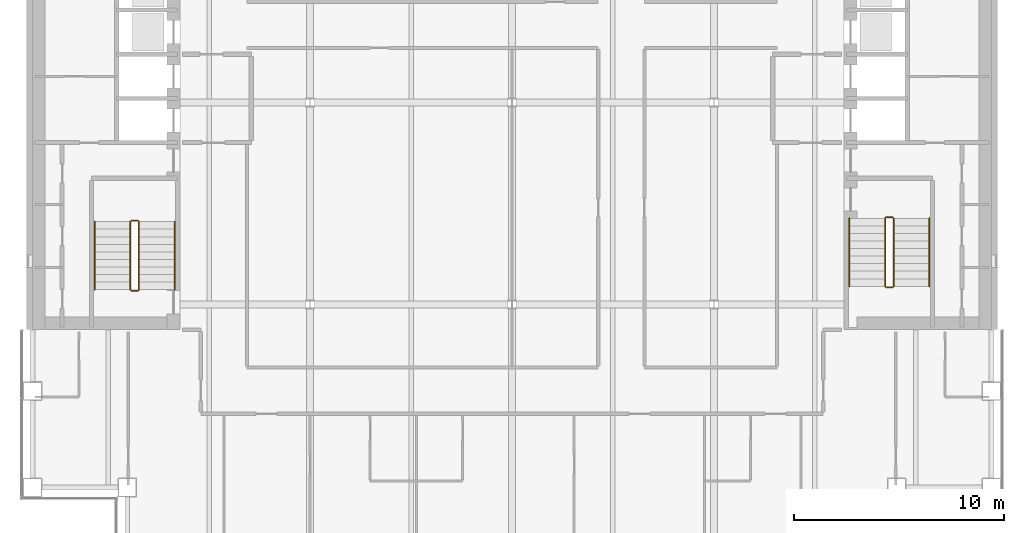
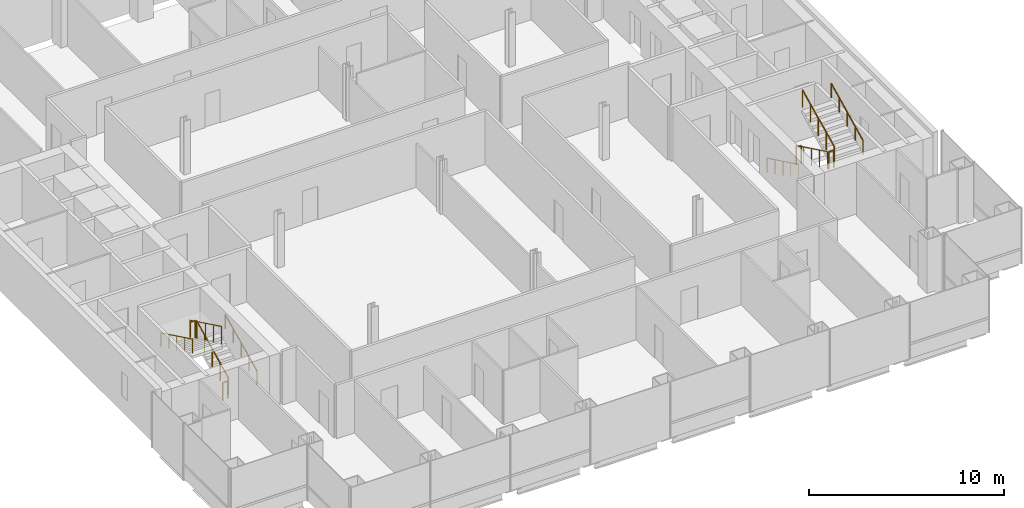
# One storey, part 15 of 16: 12 railings.
"""IFC4 building model written with IfcOpenShell, lengths in metres."""

from ifc_helpers import new_model, si_unit, direction, frame, origin, origin_2d, place, context, subcontext, project, spatial, circle, extrude, material, type_object, element, save


model = new_model("IFC4")

# Units and contexts
model_context = context("Model", 3, precision=1e-05, world=origin(), true_north=direction((0.0, 1.0)))
body_context = subcontext(model_context, "Body", "Model", "MODEL_VIEW")
ifc_project = project(units=[si_unit("LENGTHUNIT", "METRE"), si_unit("AREAUNIT", "SQUARE_METRE"), si_unit("VOLUMEUNIT", "CUBIC_METRE"), si_unit("PLANEANGLEUNIT", "RADIAN"), si_unit("MASSUNIT", "GRAM", prefix="KILO")], contexts=[model_context])

# Site, building, storey
site_placement = place(None, origin())
site = spatial("IfcSite", under=ifc_project, at=site_placement, CompositionType="ELEMENT")
building_placement = place(site_placement, origin())
building = spatial("IfcBuilding", under=site, at=building_placement, Name="Cobrizo Arcos Hotel Tower", CompositionType="ELEMENT")
storey_placement = place(building_placement, frame((0.0, 0.0, 113.5)))
storey = spatial("IfcBuildingStorey", under=building, at=storey_placement, Name="L28", CompositionType="ELEMENT", Elevation=113.5)

# Railings
ifc_material = material(Name="Stainless steel railing", Category="steel")
railing_type_1 = type_object("IfcRailingType", Name="Stair guard 1100", PredefinedType="GUARDRAIL", material=ifc_material)
railing_1_placement = place(storey_placement, frame((-17.75, -8.89990234375, 0.175048828125)))
element("IfcRailing", 1, at=railing_1_placement, inside=storey, type_object=railing_type_1, Name="L28 ST-W stair guard 1", PredefinedType="GUARDRAIL", context=body_context, shape_type="SweptSolid", body=[
    extrude(circle(Radius=0.02392578125, at=origin_2d()), frame((0.0, 0.0, 1.076171875), z_axis=(0.0, 0.899372665325, 0.437182809435), x_axis=(-1.0, 0.0, 0.0)), (0.0, 0.0, 1.0), 3.6025390625),
    extrude(circle(Radius=0.02099609375, at=origin_2d()), origin(), (0.0, 0.0, 1.0), 1.052001953125),
    extrude(circle(Radius=0.02099609375, at=origin_2d()), frame((0.0, 0.81005859375, 0.393798828125)), (0.0, 0.0, 1.0), 1.052001953125),
    extrude(circle(Radius=0.02099609375, at=origin_2d()), frame((0.0, 1.6201171875, 0.78759765625)), (0.0, 0.0, 1.0), 1.052001953125),
    extrude(circle(Radius=0.02099609375, at=origin_2d()), frame((0.0, 2.429931640625, 1.18115234375)), (0.0, 0.0, 1.0), 1.052001953125),
    extrude(circle(Radius=0.02099609375, at=origin_2d()), frame((0.0, 3.239990234375, 1.574951171875)), (0.0, 0.0, 1.0), 1.052001953125),
])
railing_2_placement = place(storey_placement, frame((-17.800048828125, -5.610107421875, 1.75)))
element("IfcRailing", 2, at=railing_2_placement, inside=storey, type_object=railing_type_1, Name="L28 ST-W stair guard 2", PredefinedType="GUARDRAIL", context=body_context, shape_type="SweptSolid", body=[
    extrude(circle(Radius=0.02392578125, at=origin_2d()), frame((0.0, 0.0, 1.076171875), z_axis=(-1.0, 0.0, 0.0), x_axis=(0.0, -1.0, 0.0)), (0.0, 0.0, 1.0), 0.300048828125),
    extrude(circle(Radius=0.02099609375, at=origin_2d()), origin(), (0.0, 0.0, 1.0), 1.052001953125),
    extrude(circle(Radius=0.02099609375, at=origin_2d()), frame((-0.300048828125, 0.0, 0.0)), (0.0, 0.0, 1.0), 1.052001953125),
])
railing_3_placement = place(storey_placement, frame((-18.14990234375, -5.659912109375, 1.925048828125)))
element("IfcRailing", 3, at=railing_3_placement, inside=storey, type_object=railing_type_1, Name="L28 ST-W stair guard 3", PredefinedType="GUARDRAIL", context=body_context, shape_type="SweptSolid", body=[
    extrude(circle(Radius=0.02392578125, at=origin_2d()), frame((0.0, 0.0, 1.076171875), z_axis=(0.0, -0.899372665325, 0.437182809435), x_axis=(1.0, 0.0, 0.0)), (0.0, 0.0, 1.0), 3.6025390625),
    extrude(circle(Radius=0.02099609375, at=origin_2d()), origin(), (0.0, 0.0, 1.0), 1.052001953125),
    extrude(circle(Radius=0.02099609375, at=origin_2d()), frame((0.0, -0.81005859375, 0.393798828125)), (0.0, 0.0, 1.0), 1.052001953125),
    extrude(circle(Radius=0.02099609375, at=origin_2d()), frame((0.0, -1.6201171875, 0.78759765625)), (0.0, 0.0, 1.0), 1.052001953125),
    extrude(circle(Radius=0.02099609375, at=origin_2d()), frame((0.0, -2.429931640625, 1.18115234375)), (0.0, 0.0, 1.0), 1.052001953125),
    extrude(circle(Radius=0.02099609375, at=origin_2d()), frame((0.0, -3.239990234375, 1.574951171875)), (0.0, 0.0, 1.0), 1.052001953125),
])
railing_4_placement = place(storey_placement, frame((-17.800048828125, -8.949951171875, 0.0)))
element("IfcRailing", 4, at=railing_4_placement, inside=storey, type_object=railing_type_1, Name="L28 ST-W stair guard 4", PredefinedType="GUARDRAIL", context=body_context, shape_type="SweptSolid", body=[
    extrude(circle(Radius=0.02392578125, at=origin_2d()), frame((0.0, 0.0, 1.076171875), z_axis=(-1.0, 0.0, 0.0), x_axis=(0.0, -1.0, 0.0)), (0.0, 0.0, 1.0), 0.300048828125),
    extrude(circle(Radius=0.02099609375, at=origin_2d()), origin(), (0.0, 0.0, 1.0), 1.052001953125),
    extrude(circle(Radius=0.02099609375, at=origin_2d()), frame((-0.300048828125, 0.0, 0.0)), (0.0, 0.0, 1.0), 1.052001953125),
])
railing_5_placement = place(storey_placement, frame((17.75, -5.5, 0.175048828125)))
element("IfcRailing", 5, at=railing_5_placement, inside=storey, type_object=railing_type_1, Name="L28 ST-E stair guard 1", PredefinedType="GUARDRAIL", context=body_context, shape_type="SweptSolid", body=[
    extrude(circle(Radius=0.02392578125, at=origin_2d()), frame((0.0, 0.0, 1.076171875), z_axis=(0.0, -0.899372665325, 0.437182809435), x_axis=(1.0, 0.0, 0.0)), (0.0, 0.0, 1.0), 3.6025390625),
    extrude(circle(Radius=0.02099609375, at=origin_2d()), origin(), (0.0, 0.0, 1.0), 1.052001953125),
    extrude(circle(Radius=0.02099609375, at=origin_2d()), frame((0.0, -0.81005859375, 0.393798828125)), (0.0, 0.0, 1.0), 1.052001953125),
    extrude(circle(Radius=0.02099609375, at=origin_2d()), frame((0.0, -1.6201171875, 0.78759765625)), (0.0, 0.0, 1.0), 1.052001953125),
    extrude(circle(Radius=0.02099609375, at=origin_2d()), frame((0.0, -2.429931640625, 1.18115234375)), (0.0, 0.0, 1.0), 1.052001953125),
    extrude(circle(Radius=0.02099609375, at=origin_2d()), frame((0.0, -3.239990234375, 1.574951171875)), (0.0, 0.0, 1.0), 1.052001953125),
])
railing_6_placement = place(storey_placement, frame((17.800048828125, -8.7900390625, 1.75)))
element("IfcRailing", 6, at=railing_6_placement, inside=storey, type_object=railing_type_1, Name="L28 ST-E stair guard 2", PredefinedType="GUARDRAIL", context=body_context, shape_type="SweptSolid", body=[
    extrude(circle(Radius=0.02392578125, at=origin_2d()), frame((0.0, 0.0, 1.076171875), z_axis=(1.0, 0.0, 0.0), x_axis=(0.0, 1.0, 0.0)), (0.0, 0.0, 1.0), 0.300048828125),
    extrude(circle(Radius=0.02099609375, at=origin_2d()), origin(), (0.0, 0.0, 1.0), 1.052001953125),
    extrude(circle(Radius=0.02099609375, at=origin_2d()), frame((0.300048828125, 0.0, 0.0)), (0.0, 0.0, 1.0), 1.052001953125),
])
railing_7_placement = place(storey_placement, frame((18.14990234375, -8.739990234375, 1.925048828125)))
element("IfcRailing", 7, at=railing_7_placement, inside=storey, type_object=railing_type_1, Name="L28 ST-E stair guard 3", PredefinedType="GUARDRAIL", context=body_context, shape_type="SweptSolid", body=[
    extrude(circle(Radius=0.02392578125, at=origin_2d()), frame((0.0, 0.0, 1.076171875), z_axis=(0.0, 0.899372665325, 0.437182809435), x_axis=(-1.0, 0.0, 0.0)), (0.0, 0.0, 1.0), 3.6025390625),
    extrude(circle(Radius=0.02099609375, at=origin_2d()), origin(), (0.0, 0.0, 1.0), 1.052001953125),
    extrude(circle(Radius=0.02099609375, at=origin_2d()), frame((0.0, 0.81005859375, 0.393798828125)), (0.0, 0.0, 1.0), 1.052001953125),
    extrude(circle(Radius=0.02099609375, at=origin_2d()), frame((0.0, 1.6201171875, 0.78759765625)), (0.0, 0.0, 1.0), 1.052001953125),
    extrude(circle(Radius=0.02099609375, at=origin_2d()), frame((0.0, 2.429931640625, 1.18115234375)), (0.0, 0.0, 1.0), 1.052001953125),
    extrude(circle(Radius=0.02099609375, at=origin_2d()), frame((0.0, 3.239990234375, 1.574951171875)), (0.0, 0.0, 1.0), 1.052001953125),
])
railing_8_placement = place(storey_placement, frame((17.800048828125, -5.449951171875, 0.0)))
element("IfcRailing", 8, at=railing_8_placement, inside=storey, type_object=railing_type_1, Name="L28 ST-E stair guard 4", PredefinedType="GUARDRAIL", context=body_context, shape_type="SweptSolid", body=[
    extrude(circle(Radius=0.02392578125, at=origin_2d()), frame((0.0, 0.0, 1.076171875), z_axis=(1.0, 0.0, 0.0), x_axis=(0.0, 1.0, 0.0)), (0.0, 0.0, 1.0), 0.300048828125),
    extrude(circle(Radius=0.02099609375, at=origin_2d()), origin(), (0.0, 0.0, 1.0), 1.052001953125),
    extrude(circle(Radius=0.02099609375, at=origin_2d()), frame((0.300048828125, 0.0, 0.0)), (0.0, 0.0, 1.0), 1.052001953125),
])
railing_type_2 = type_object("IfcRailingType", Name="Stair handrail", PredefinedType="HANDRAIL", material=ifc_material)
railing_9_placement = place(storey_placement, frame((-16.050048828125, -8.89990234375, 0.175048828125)))
element("IfcRailing", 9, at=railing_9_placement, inside=storey, type_object=railing_type_2, Name="L28 ST-W stair handrail 1", PredefinedType="HANDRAIL", context=body_context, shape_type="SweptSolid", body=[
    extrude(circle(Radius=0.02392578125, at=origin_2d()), frame((0.0, 0.0, 0.8759765625), z_axis=(0.0, 0.899372665325, 0.437182809435), x_axis=(-1.0, 0.0, 0.0)), (0.0, 0.0, 1.0), 3.6025390625),
    extrude(circle(Radius=0.02099609375, at=origin_2d()), origin(), (0.0, 0.0, 1.0), 0.851806640625),
    extrude(circle(Radius=0.02099609375, at=origin_2d()), frame((0.0, 0.81005859375, 0.393798828125)), (0.0, 0.0, 1.0), 0.851806640625),
    extrude(circle(Radius=0.02099609375, at=origin_2d()), frame((0.0, 1.6201171875, 0.78759765625)), (0.0, 0.0, 1.0), 0.851806640625),
    extrude(circle(Radius=0.02099609375, at=origin_2d()), frame((0.0, 2.429931640625, 1.18115234375)), (0.0, 0.0, 1.0), 0.851806640625),
    extrude(circle(Radius=0.02099609375, at=origin_2d()), frame((0.0, 3.239990234375, 1.574951171875)), (0.0, 0.0, 1.0), 0.851806640625),
])
for number, where, name in (
    (10, (-19.85009765625, -5.659912109375, 1.925048828125), "L28 ST-W stair handrail 2"),
    (11, (16.050048828125, -5.5, 0.175048828125), "L28 ST-E stair handrail 1"),
):
    element("IfcRailing", number, at=place(storey_placement, frame(where)), inside=storey, type_object=railing_type_2, Name=name, PredefinedType="HANDRAIL", context=body_context, shape_type="SweptSolid", body=[
        extrude(circle(Radius=0.02392578125, at=origin_2d()), frame((0.0, 0.0, 0.8759765625), z_axis=(0.0, -0.899372665325, 0.437182809435), x_axis=(1.0, 0.0, 0.0)), (0.0, 0.0, 1.0), 3.6025390625),
        extrude(circle(Radius=0.02099609375, at=origin_2d()), origin(), (0.0, 0.0, 1.0), 0.851806640625),
        extrude(circle(Radius=0.02099609375, at=origin_2d()), frame((0.0, -0.81005859375, 0.393798828125)), (0.0, 0.0, 1.0), 0.851806640625),
        extrude(circle(Radius=0.02099609375, at=origin_2d()), frame((0.0, -1.6201171875, 0.78759765625)), (0.0, 0.0, 1.0), 0.851806640625),
        extrude(circle(Radius=0.02099609375, at=origin_2d()), frame((0.0, -2.429931640625, 1.18115234375)), (0.0, 0.0, 1.0), 0.851806640625),
        extrude(circle(Radius=0.02099609375, at=origin_2d()), frame((0.0, -3.239990234375, 1.574951171875)), (0.0, 0.0, 1.0), 0.851806640625),
    ])
railing_10_placement = place(storey_placement, frame((19.85009765625, -8.739990234375, 1.925048828125)))
element("IfcRailing", 12, at=railing_10_placement, inside=storey, type_object=railing_type_2, Name="L28 ST-E stair handrail 2", PredefinedType="HANDRAIL", context=body_context, shape_type="SweptSolid", body=[
    extrude(circle(Radius=0.02392578125, at=origin_2d()), frame((0.0, 0.0, 0.8759765625), z_axis=(0.0, 0.899372665325, 0.437182809435), x_axis=(-1.0, 0.0, 0.0)), (0.0, 0.0, 1.0), 3.6025390625),
    extrude(circle(Radius=0.02099609375, at=origin_2d()), origin(), (0.0, 0.0, 1.0), 0.851806640625),
    extrude(circle(Radius=0.02099609375, at=origin_2d()), frame((0.0, 0.81005859375, 0.393798828125)), (0.0, 0.0, 1.0), 0.851806640625),
    extrude(circle(Radius=0.02099609375, at=origin_2d()), frame((0.0, 1.6201171875, 0.78759765625)), (0.0, 0.0, 1.0), 0.851806640625),
    extrude(circle(Radius=0.02099609375, at=origin_2d()), frame((0.0, 2.429931640625, 1.18115234375)), (0.0, 0.0, 1.0), 0.851806640625),
    extrude(circle(Radius=0.02099609375, at=origin_2d()), frame((0.0, 3.239990234375, 1.574951171875)), (0.0, 0.0, 1.0), 0.851806640625),
])

save(model, "model.ifc")
